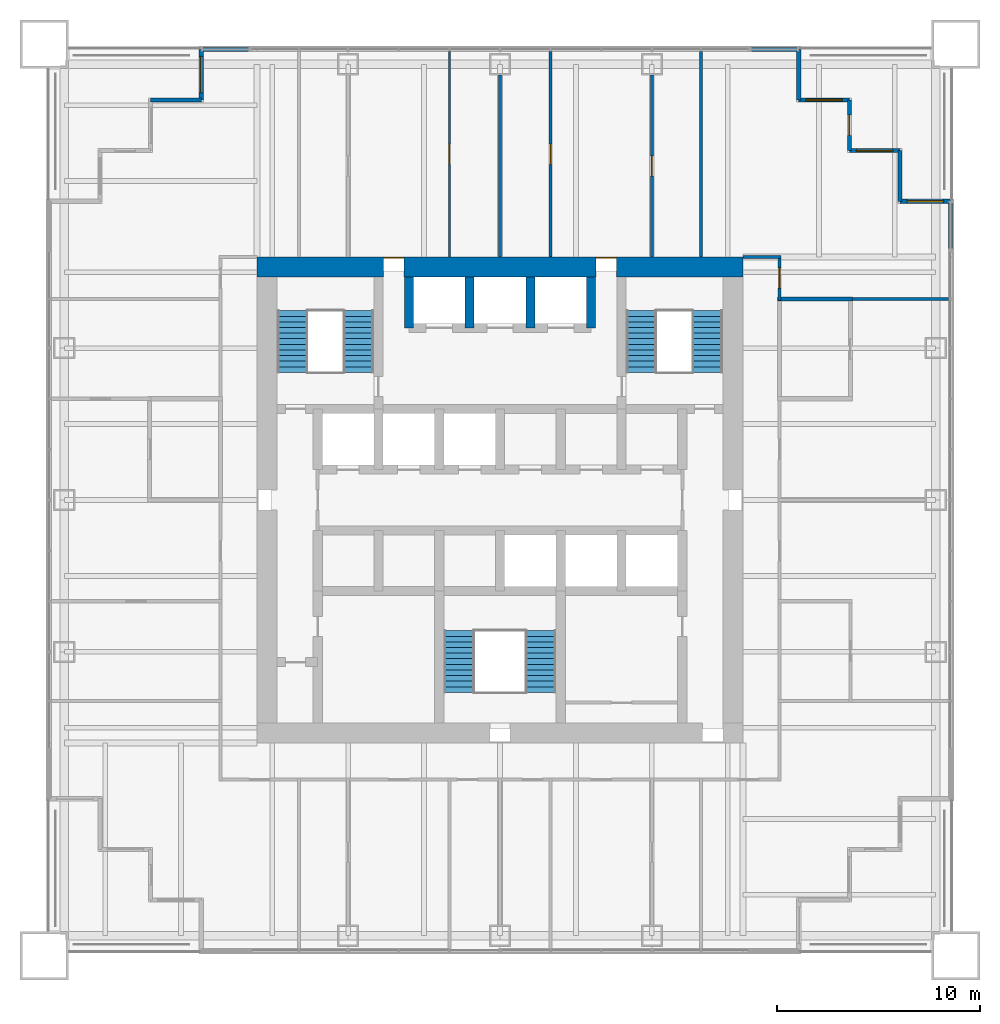
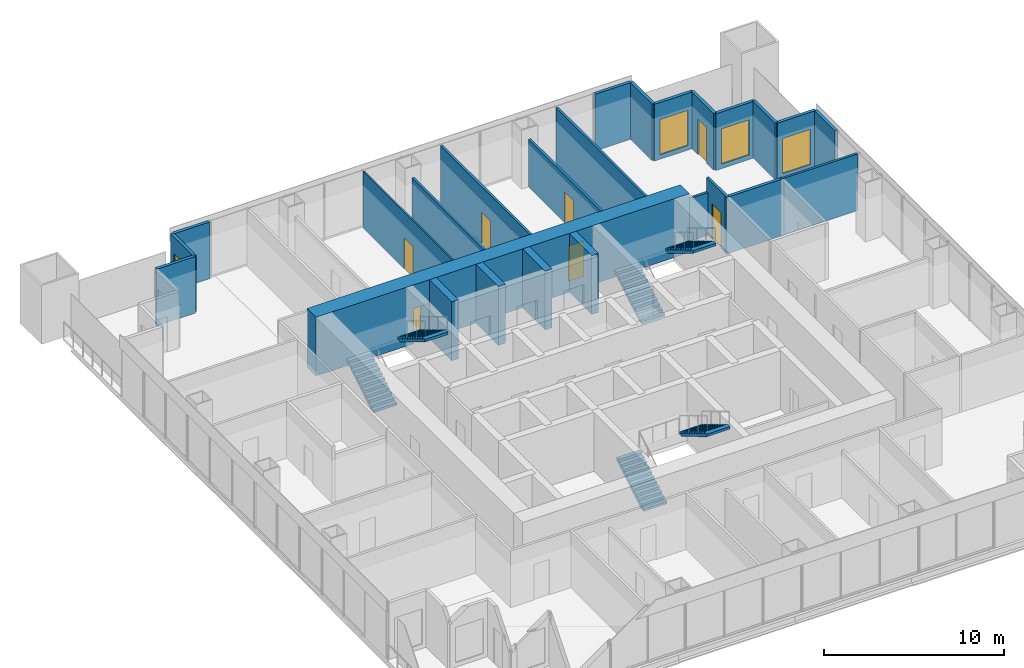
# One storey, part 11 of 13: 25 walls, 7 doors, 6 stair flights, 4 windows, 11 openings, 3 elements without a shape of their own.
"""IFC4 building model written with IfcOpenShell, lengths in metres."""

from ifc_helpers import new_model, si_unit, direction, frame, frame_2d, origin, place, context, subcontext, project, spatial, polyline, rectangle, outline, extrude, material, layer, layer_set, type_object, element, fill, aggregate, save


model = new_model("IFC4")

# Units and contexts
model_context = context("Model", 3, precision=1e-05, world=origin(), true_north=direction((0.0, 1.0)))
body_context = subcontext(model_context, "Body", "Model", "MODEL_VIEW")
ifc_project = project(units=[si_unit("LENGTHUNIT", "METRE"), si_unit("AREAUNIT", "SQUARE_METRE"), si_unit("VOLUMEUNIT", "CUBIC_METRE"), si_unit("PLANEANGLEUNIT", "RADIAN"), si_unit("MASSUNIT", "GRAM", prefix="KILO")], contexts=[model_context])

# Site, building, storey
site_placement = place(None, origin())
site = spatial("IfcSite", under=ifc_project, at=site_placement, CompositionType="ELEMENT")
building_placement = place(site_placement, origin())
building = spatial("IfcBuilding", under=site, at=building_placement, Name="Tarangal Relay Tower", CompositionType="ELEMENT")
storey_placement = place(building_placement, frame((0.0, 0.0, 181.89990234375)))
storey = spatial("IfcBuildingStorey", under=building, at=storey_placement, Name="L37", CompositionType="ELEMENT", Elevation=181.89990234375)

# Walls
ifc_material_1 = material(Name="Two layers gypsum board each side on twin steel studs, mineral wool", Category="steel")
ifc_layer_1 = layer(ifc_material_1, 0.199951171875)
ifc_layer_set_1 = layer_set([ifc_layer_1], Name="Acoustic partition 200")
wall_type_1 = type_object("IfcWallType", Name="Acoustic partition 200", PredefinedType="PARTITIONING", material=ifc_layer_set_1)
wall_1_placement = place(storey_placement, frame((13.699951171875, 9.9169921875, 0.0), z_axis=(0.0, 0.0, 1.0), x_axis=(1.0, 0.0, 0.0)))
element("IfcWall", 1, at=wall_1_placement, inside=storey, type_object=wall_type_1, Name="Partition PT2 L37", PredefinedType="PARTITIONING", context=body_context, shape_type="SweptSolid", body=[
    extrude(rectangle(XDim=3.699951171875, YDim=0.199951171875, at=frame_2d((1.85009765625, 0.0))), origin(), (0.0, 0.0, 1.0), 3.85009765625),
])
ifc_material_2 = material(Name="Concrete fc' 60 MPa", Category="concrete")
ifc_layer_2 = layer(ifc_material_2, 0.449951171875)
ifc_layer_set_2 = layer_set([ifc_layer_2], Name="Core inner wall 450")
wall_type_2 = type_object("IfcWallType", Name="Core inner wall 450", PredefinedType="SHEAR", material=ifc_layer_set_2)
for number, where, z_axis, x_axis, name in (
    (2, (-4.5, 8.5, 0.0), (0.0, 0.0, 1.0), (0.0, 1.0, 0.0), "Core wall XM45 L37"),
    (3, (4.5, 8.5, 0.0), (0.0, 0.0, 1.0), (0.0, 1.0, 0.0), "Core wall X45 L37"),
    (4, (-1.5, 8.5, 0.0), (0.0, 0.0, 1.0), (0.0, 1.0, 0.0), "Core wall XM15 L37"),
    (5, (1.5, 8.5, 0.0), (0.0, 0.0, 1.0), (0.0, 1.0, 0.0), "Core wall X15 L37"),
):
    element("IfcWall", number, at=place(storey_placement, frame(where, z_axis=z_axis, x_axis=x_axis)), inside=storey, type_object=wall_type_2, Name=name, PredefinedType="SHEAR", context=body_context, shape_type="SweptSolid", body=[
        extrude(rectangle(XDim=2.5, YDim=0.449951171875, at=frame_2d((1.25, 0.0))), origin(), (0.0, 0.0, 1.0), 4.0),
    ])

# Wall, openings, doors
ifc_layer_3 = layer(ifc_material_2, 1.0)
ifc_layer_set_3 = layer_set([ifc_layer_3], Name="Core wall 1000")
wall_type_3 = type_object("IfcWallType", Name="Core wall 1000", PredefinedType="SHEAR", material=ifc_layer_set_3)
wall_2_placement = place(storey_placement, frame((-12.0, 11.5, 0.0), z_axis=(0.0, 0.0, 1.0), x_axis=(1.0, 0.0, 0.0)))
wall_2 = element("IfcWall", 6, at=wall_2_placement, inside=storey, type_object=wall_type_3, Name="Core wall N L37", PredefinedType="SHEAR", context=body_context, shape_type="SweptSolid", body=[
    extrude(rectangle(XDim=24.0, YDim=1.0, at=frame_2d((12.0, 0.0))), origin(), (0.0, 0.0, 1.0), 4.0),
])
opening_1_placement = place(wall_2_placement, frame((6.25, 0.0, 0.0)))
opening_1 = element("IfcOpeningElement", 7, at=opening_1_placement, cuts=wall_2, Name="Opening FD3", PredefinedType="OPENING", context=body_context, shape_type="SweptSolid", body=[
    extrude(rectangle(XDim=1.0, YDim=2.39990234375, at=frame_2d((0.5, 1.199951171875))), frame((0.0, 0.510009765625, 0.0), z_axis=(0.0, -1.0, 0.0), x_axis=(1.0, 0.0, 0.0)), (0.0, 0.0, 1.0), 1.02001953125),
])
opening_2_placement = place(wall_2_placement, frame((16.75, 0.0, 0.0)))
opening_2 = element("IfcOpeningElement", 8, at=opening_2_placement, cuts=wall_2, Name="Opening FD3", PredefinedType="OPENING", context=body_context, shape_type="SweptSolid", body=[
    extrude(rectangle(XDim=1.0, YDim=2.39990234375, at=frame_2d((0.5, 1.199951171875))), frame((0.0, 0.510009765625, 0.0), z_axis=(0.0, -1.0, 0.0), x_axis=(1.0, 0.0, 0.0)), (0.0, 0.0, 1.0), 1.02001953125),
])
ifc_material_3 = material(Name="Steel door with hardwood frame", Category="steel")
door_type_1 = type_object("IfcDoorType", Name="Fire door 1000 x 2400 core entry", OperationType="SINGLE_SWING_RIGHT", PredefinedType="DOOR", material=ifc_material_3)
door_1_placement = place(opening_1_placement, origin())
door_1 = element("IfcDoor", 9, at=door_1_placement, inside=storey, type_object=door_type_1, Name="Core entry door north west L37", OperationType="SINGLE_SWING_RIGHT", OverallHeight=2.39990234375, OverallWidth=1.0, PredefinedType="DOOR", context=body_context, shape_type="SweptSolid", body=[
    extrude(rectangle(XDim=1.0, YDim=2.39990234375, at=frame_2d((0.5, 1.199951171875))), frame((0.0, 0.48486328125, 0.0), z_axis=(0.0, -1.0, 0.0), x_axis=(1.0, 0.0, 0.0)), (0.0, 0.0, 1.0), 0.050048828125),
])
fill(opening_1, door_1)
door_2_placement = place(opening_2_placement, origin())
door_2 = element("IfcDoor", 10, at=door_2_placement, inside=storey, type_object=door_type_1, Name="Core entry door north east L37", OperationType="SINGLE_SWING_RIGHT", OverallHeight=2.39990234375, OverallWidth=1.0, PredefinedType="DOOR", context=body_context, shape_type="SweptSolid", body=[
    extrude(rectangle(XDim=1.0, YDim=2.39990234375, at=frame_2d((0.5, 1.199951171875))), frame((0.0, 0.48486328125, 0.0), z_axis=(0.0, -1.0, 0.0), x_axis=(1.0, 0.0, 0.0)), (0.0, 0.0, 1.0), 0.050048828125),
])
fill(opening_2, door_2)

# Wall
ifc_material_4 = material(Name="Black metal clad insulated wall", Category="steel")
ifc_layer_4 = layer(ifc_material_4, 0.199951171875)
ifc_layer_set_4 = layer_set([ifc_layer_4], Name="Corner wall metal clad 200")
wall_type_4 = type_object("IfcWallType", Name="Corner wall metal clad 200", PredefinedType="SOLIDWALL", material=ifc_layer_set_4)
wall_3_placement = place(storey_placement, frame((14.75, 22.25, 0.0), z_axis=(0.0, 0.0, 1.0), x_axis=(0.0, -1.0, 0.0)))
element("IfcWall", 11, at=wall_3_placement, inside=storey, type_object=wall_type_4, Name="Facade wall N facade L37", PredefinedType="SOLIDWALL", context=body_context, shape_type="SweptSolid", body=[
    extrude(rectangle(XDim=2.5, YDim=0.199951171875, at=frame_2d((1.25, 0.0))), origin(), (0.0, 0.0, 1.0), 3.85009765625),
])

# Wall, opening, window
wall_4_placement = place(storey_placement, frame((14.75, 19.75, 0.0), z_axis=(0.0, 0.0, 1.0), x_axis=(1.0, 0.0, 0.0)))
wall_4 = element("IfcWall", 12, at=wall_4_placement, inside=storey, type_object=wall_type_4, Name="Facade wall N facade L37", PredefinedType="SOLIDWALL", context=body_context, shape_type="SweptSolid", body=[
    extrude(rectangle(XDim=2.5, YDim=0.199951171875, at=frame_2d((1.25, 0.0))), origin(), (0.0, 0.0, 1.0), 3.85009765625),
])
opening_3_placement = place(wall_4_placement, frame((0.35009765625, 0.0, 0.300048828125)))
opening_3 = element("IfcOpeningElement", 13, at=opening_3_placement, cuts=wall_4, Name="Opening WN2", PredefinedType="OPENING", context=body_context, shape_type="SweptSolid", body=[
    extrude(rectangle(XDim=1.800048828125, YDim=2.39990234375, at=frame_2d((0.89990234375, 1.199951171875))), frame((0.0, 0.10986328125, 0.0), z_axis=(0.0, -1.0, 0.0), x_axis=(1.0, 0.0, 0.0)), (0.0, 0.0, 1.0), 0.219970703125),
])
ifc_material_5 = material(Name="Dark tinted double glazing in black aluminium frame", Category="aluminium")
window_type = type_object("IfcWindowType", Name="Corner window 1800 x 2400", PartitioningType="SINGLE_PANEL", PredefinedType="WINDOW", material=ifc_material_5)
window_1_placement = place(opening_3_placement, origin())
window_1 = element("IfcWindow", 14, at=window_1_placement, inside=storey, type_object=window_type, Name="Corner window WN2 N facade L37", OverallHeight=2.39990234375, OverallWidth=1.800048828125, PartitioningType="SINGLE_PANEL", PredefinedType="WINDOW", context=body_context, shape_type="SweptSolid", body=[
    extrude(rectangle(XDim=1.800048828125, YDim=2.39990234375, at=frame_2d((0.89990234375, 1.199951171875))), frame((0.0, 0.030029296875, 0.0), z_axis=(0.0, -1.0, 0.0), x_axis=(1.0, 0.0, 0.0)), (0.0, 0.0, 1.0), 0.06005859375),
])
fill(opening_3, window_1)

# Wall, opening, door
wall_5_placement = place(storey_placement, frame((17.25, 19.75, 0.0), z_axis=(0.0, 0.0, 1.0), x_axis=(0.0, -1.0, 0.0)))
wall_5 = element("IfcWall", 15, at=wall_5_placement, inside=storey, type_object=wall_type_4, Name="Facade wall N facade L37", PredefinedType="SOLIDWALL", context=body_context, shape_type="SweptSolid", body=[
    extrude(rectangle(XDim=2.5, YDim=0.199951171875, at=frame_2d((1.25, 0.0))), origin(), (0.0, 0.0, 1.0), 3.85009765625),
])
opening_4_placement = place(wall_5_placement, frame((0.75, 0.0, 0.0)))
opening_4 = element("IfcOpeningElement", 16, at=opening_4_placement, cuts=wall_5, Name="Opening TD1", PredefinedType="OPENING", context=body_context, shape_type="SweptSolid", body=[
    extrude(rectangle(XDim=1.0, YDim=2.39990234375, at=frame_2d((0.5, 1.199951171875))), frame((0.0, 0.10986328125, 0.0), z_axis=(0.0, -1.0, 0.0), x_axis=(1.0, 0.0, 0.0)), (0.0, 0.0, 1.0), 0.219970703125),
])
ifc_material_6 = material(Name="Aluminium glazed door", Category="aluminium")
door_type_2 = type_object("IfcDoorType", Name="Terrace door 1000 x 2400", OperationType="SINGLE_SWING_RIGHT", PredefinedType="DOOR", material=ifc_material_6)
door_3_placement = place(opening_4_placement, origin())
door_3 = element("IfcDoor", 17, at=door_3_placement, inside=storey, type_object=door_type_2, Name="Terrace door TD1 NE L37", OperationType="SINGLE_SWING_RIGHT", OverallHeight=2.39990234375, OverallWidth=1.0, PredefinedType="DOOR", context=body_context, shape_type="SweptSolid", body=[
    extrude(rectangle(XDim=1.0, YDim=2.39990234375, at=frame_2d((0.5, 1.199951171875))), frame((0.0, 0.02490234375, 0.0), z_axis=(0.0, -1.0, 0.0), x_axis=(1.0, 0.0, 0.0)), (0.0, 0.0, 1.0), 0.050048828125),
])
fill(opening_4, door_3)

# Wall, opening, window
wall_6_placement = place(storey_placement, frame((17.25, 17.25, 0.0), z_axis=(0.0, 0.0, 1.0), x_axis=(1.0, 0.0, 0.0)))
wall_6 = element("IfcWall", 18, at=wall_6_placement, inside=storey, type_object=wall_type_4, Name="Facade wall N facade L37", PredefinedType="SOLIDWALL", context=body_context, shape_type="SweptSolid", body=[
    extrude(rectangle(XDim=2.5, YDim=0.199951171875, at=frame_2d((1.25, 0.0))), origin(), (0.0, 0.0, 1.0), 3.85009765625),
])
opening_5_placement = place(wall_6_placement, frame((0.35009765625, 0.0, 0.300048828125)))
opening_5 = element("IfcOpeningElement", 19, at=opening_5_placement, cuts=wall_6, Name="Opening WN2", PredefinedType="OPENING", context=body_context, shape_type="SweptSolid", body=[
    extrude(rectangle(XDim=1.800048828125, YDim=2.39990234375, at=frame_2d((0.89990234375, 1.199951171875))), frame((0.0, 0.10986328125, 0.0), z_axis=(0.0, -1.0, 0.0), x_axis=(1.0, 0.0, 0.0)), (0.0, 0.0, 1.0), 0.219970703125),
])
window_2_placement = place(opening_5_placement, origin())
window_2 = element("IfcWindow", 20, at=window_2_placement, inside=storey, type_object=window_type, Name="Corner window WN2 N facade L37", OverallHeight=2.39990234375, OverallWidth=1.800048828125, PartitioningType="SINGLE_PANEL", PredefinedType="WINDOW", context=body_context, shape_type="SweptSolid", body=[
    extrude(rectangle(XDim=1.800048828125, YDim=2.39990234375, at=frame_2d((0.89990234375, 1.199951171875))), frame((0.0, 0.030029296875, 0.0), z_axis=(0.0, -1.0, 0.0), x_axis=(1.0, 0.0, 0.0)), (0.0, 0.0, 1.0), 0.06005859375),
])
fill(opening_5, window_2)

# Wall
wall_7_placement = place(storey_placement, frame((19.75, 17.25, 0.0), z_axis=(0.0, 0.0, 1.0), x_axis=(0.0, -1.0, 0.0)))
element("IfcWall", 21, at=wall_7_placement, inside=storey, type_object=wall_type_4, Name="Facade wall N facade L37", PredefinedType="SOLIDWALL", context=body_context, shape_type="SweptSolid", body=[
    extrude(rectangle(XDim=2.5, YDim=0.199951171875, at=frame_2d((1.25, 0.0))), origin(), (0.0, 0.0, 1.0), 3.85009765625),
])

# Wall, opening, window
wall_8_placement = place(storey_placement, frame((19.75, 14.75, 0.0), z_axis=(0.0, 0.0, 1.0), x_axis=(1.0, 0.0, 0.0)))
wall_8 = element("IfcWall", 22, at=wall_8_placement, inside=storey, type_object=wall_type_4, Name="Facade wall N facade L37", PredefinedType="SOLIDWALL", context=body_context, shape_type="SweptSolid", body=[
    extrude(rectangle(XDim=2.5, YDim=0.199951171875, at=frame_2d((1.25, 0.0))), origin(), (0.0, 0.0, 1.0), 3.85009765625),
])
opening_6_placement = place(wall_8_placement, frame((0.35009765625, 0.0, 0.300048828125)))
opening_6 = element("IfcOpeningElement", 23, at=opening_6_placement, cuts=wall_8, Name="Opening WN2", PredefinedType="OPENING", context=body_context, shape_type="SweptSolid", body=[
    extrude(rectangle(XDim=1.800048828125, YDim=2.39990234375, at=frame_2d((0.89990234375, 1.199951171875))), frame((0.0, 0.10986328125, 0.0), z_axis=(0.0, -1.0, 0.0), x_axis=(1.0, 0.0, 0.0)), (0.0, 0.0, 1.0), 0.219970703125),
])
window_3_placement = place(opening_6_placement, origin())
window_3 = element("IfcWindow", 24, at=window_3_placement, inside=storey, type_object=window_type, Name="Corner window WN2 N facade L37", OverallHeight=2.39990234375, OverallWidth=1.800048828125, PartitioningType="SINGLE_PANEL", PredefinedType="WINDOW", context=body_context, shape_type="SweptSolid", body=[
    extrude(rectangle(XDim=1.800048828125, YDim=2.39990234375, at=frame_2d((0.89990234375, 1.199951171875))), frame((0.0, 0.030029296875, 0.0), z_axis=(0.0, -1.0, 0.0), x_axis=(1.0, 0.0, 0.0)), (0.0, 0.0, 1.0), 0.06005859375),
])
fill(opening_6, window_3)

# Wall
wall_9_placement = place(storey_placement, frame((-17.25, 19.75, 0.0), z_axis=(0.0, 0.0, 1.0), x_axis=(1.0, 0.0, 0.0)))
element("IfcWall", 25, at=wall_9_placement, inside=storey, type_object=wall_type_4, Name="Facade wall W facade L37", PredefinedType="SOLIDWALL", context=body_context, shape_type="SweptSolid", body=[
    extrude(rectangle(XDim=2.5, YDim=0.199951171875, at=frame_2d((1.25, 0.0))), origin(), (0.0, 0.0, 1.0), 3.85009765625),
])

# Wall, opening, window
wall_10_placement = place(storey_placement, frame((-14.75, 19.75, 0.0), z_axis=(0.0, 0.0, 1.0), x_axis=(0.0, 1.0, 0.0)))
wall_10 = element("IfcWall", 26, at=wall_10_placement, inside=storey, type_object=wall_type_4, Name="Facade wall W facade L37", PredefinedType="SOLIDWALL", context=body_context, shape_type="SweptSolid", body=[
    extrude(rectangle(XDim=2.5, YDim=0.199951171875, at=frame_2d((1.25, 0.0))), origin(), (0.0, 0.0, 1.0), 3.85009765625),
])
opening_7_placement = place(wall_10_placement, frame((0.35009765625, 0.0, 0.300048828125)))
opening_7 = element("IfcOpeningElement", 27, at=opening_7_placement, cuts=wall_10, Name="Opening WN2", PredefinedType="OPENING", context=body_context, shape_type="SweptSolid", body=[
    extrude(rectangle(XDim=1.800048828125, YDim=2.39990234375, at=frame_2d((0.89990234375, 1.199951171875))), frame((0.0, 0.10986328125, 0.0), z_axis=(0.0, -1.0, 0.0), x_axis=(1.0, 0.0, 0.0)), (0.0, 0.0, 1.0), 0.219970703125),
])
window_4_placement = place(opening_7_placement, origin())
window_4 = element("IfcWindow", 28, at=window_4_placement, inside=storey, type_object=window_type, Name="Corner window WN2 W facade L37", OverallHeight=2.39990234375, OverallWidth=1.800048828125, PartitioningType="SINGLE_PANEL", PredefinedType="WINDOW", context=body_context, shape_type="SweptSolid", body=[
    extrude(rectangle(XDim=1.800048828125, YDim=2.39990234375, at=frame_2d((0.89990234375, 1.199951171875))), frame((0.0, 0.030029296875, 0.0), z_axis=(0.0, -1.0, 0.0), x_axis=(1.0, 0.0, 0.0)), (0.0, 0.0, 1.0), 0.06005859375),
])
fill(opening_7, window_4)

# Walls
ifc_layer_5 = layer(ifc_material_4, 0.199951171875)
ifc_layer_set_5 = layer_set([ifc_layer_5], Name="Facade infill wall metal clad 200")
wall_type_5 = type_object("IfcWallType", Name="Facade infill wall metal clad 200", PredefinedType="SOLIDWALL", material=ifc_layer_set_5)
for number, where, z_axis, x_axis, name in (
    (29, (-14.68505859375, 22.25, 0.0), (0.0, 0.0, 1.0), (1.0, 0.0, 0.0), "Facade infill wall N facade L37 1.1"),
    (30, (12.398193359375, 22.25, 0.0), (0.0, 0.0, 1.0), (1.0, 0.0, 0.0), "Facade infill wall N facade L37 1.1"),
    (31, (22.25, 14.68505859375, 0.0), (0.0, 0.0, 1.0), (0.0, -1.0, 0.0), "Facade infill wall E facade L37 1.1"),
):
    element("IfcWall", number, at=place(storey_placement, frame(where, z_axis=z_axis, x_axis=x_axis)), inside=storey, type_object=wall_type_5, Name=name, PredefinedType="SOLIDWALL", context=body_context, shape_type="SweptSolid", body=[
        extrude(rectangle(XDim=2.286865234375, YDim=0.199951171875, at=frame_2d((1.1435546875, 0.0))), origin(), (0.0, 0.0, 1.0), 3.85009765625),
    ])

# Wall, opening, door
ifc_material_7 = material(Name="Double glazed aluminium framed partition", Category="aluminium")
ifc_layer_6 = layer(ifc_material_7, 0.10009765625)
ifc_layer_set_6 = layer_set([ifc_layer_6], Name="Glazed partition 100")
wall_type_6 = type_object("IfcWallType", Name="Glazed partition 100", PredefinedType="PARTITIONING", material=ifc_layer_set_6)
wall_11_placement = place(storey_placement, frame((-2.5, 12.0, 0.0), z_axis=(0.0, 0.0, 1.0), x_axis=(0.0, 1.0, 0.0)))
wall_11 = element("IfcWall", 32, at=wall_11_placement, inside=storey, type_object=wall_type_6, Name="Partition PT3 L37", PredefinedType="PARTITIONING", context=body_context, shape_type="SweptSolid", body=[
    extrude(rectangle(XDim=10.14990234375, YDim=0.10009765625, at=frame_2d((5.074951171875, 0.0))), origin(), (0.0, 0.0, 1.0), 3.85009765625),
])
opening_8_placement = place(wall_11_placement, frame((4.574951171875, 0.0, 0.0)))
opening_8 = element("IfcOpeningElement", 33, at=opening_8_placement, cuts=wall_11, Name="Opening D3", PredefinedType="OPENING", context=body_context, shape_type="SweptSolid", body=[
    extrude(rectangle(XDim=1.0, YDim=2.10009765625, at=frame_2d((0.5, 1.050048828125))), frame((0.0, 0.06005859375, 0.0), z_axis=(0.0, -1.0, 0.0), x_axis=(1.0, 0.0, 0.0)), (0.0, 0.0, 1.0), 0.1201171875),
])
ifc_material_8 = material(Name="Frameless glass door", Category="glass")
door_type_3 = type_object("IfcDoorType", Name="Glazed door 1000 x 2100", OperationType="SINGLE_SWING_LEFT", PredefinedType="DOOR", material=ifc_material_8)
door_4_placement = place(opening_8_placement, origin())
door_4 = element("IfcDoor", 34, at=door_4_placement, inside=storey, type_object=door_type_3, Name="Door D3 to meeting room L37-04", OperationType="SINGLE_SWING_LEFT", OverallHeight=2.10009765625, OverallWidth=1.0, PredefinedType="DOOR", context=body_context, shape_type="SweptSolid", body=[
    extrude(rectangle(XDim=1.0, YDim=2.10009765625, at=frame_2d((0.5, 1.050048828125))), frame((0.0, 0.02490234375, 0.0), z_axis=(0.0, -1.0, 0.0), x_axis=(1.0, 0.0, 0.0)), (0.0, 0.0, 1.0), 0.050048828125),
])
fill(opening_8, door_4)

# Walls
ifc_material_9 = material(Name="Gypsum board on steel studs", Category="steel")
ifc_layer_7 = layer(ifc_material_9, 0.14990234375)
ifc_layer_set_7 = layer_set([ifc_layer_7], Name="Partition 150")
wall_type_7 = type_object("IfcWallType", Name="Partition 150", PredefinedType="PARTITIONING", material=ifc_layer_set_7)
wall_12_placement = place(storey_placement, frame((17.22509765625, 9.9169921875, 0.0), z_axis=(0.0, 0.0, 1.0), x_axis=(1.0, 0.0, 0.0)))
element("IfcWall", 35, at=wall_12_placement, inside=storey, type_object=wall_type_7, Name="Partition PT1 L37", PredefinedType="PARTITIONING", context=body_context, shape_type="SweptSolid", body=[
    extrude(rectangle(XDim=4.9248046875, YDim=0.14990234375, at=frame_2d((2.46240234375, 0.0))), origin(), (0.0, 0.0, 1.0), 3.85009765625),
])
wall_13_placement = place(storey_placement, frame((12.0, 12.0, 0.0), z_axis=(0.0, 0.0, 1.0), x_axis=(1.0, 0.0, 0.0)))
element("IfcWall", 36, at=wall_13_placement, inside=storey, type_object=wall_type_7, Name="Partition PT1 L37", PredefinedType="PARTITIONING", context=body_context, shape_type="SweptSolid", body=[
    extrude(rectangle(XDim=1.875, YDim=0.14990234375, at=frame_2d((0.9375, 0.0))), origin(), (0.0, 0.0, 1.0), 2.907958984375),
])
wall_14_placement = place(storey_placement, frame((0.0, 12.0, 0.0), z_axis=(0.0, 0.0, 1.0), x_axis=(0.0, 1.0, 0.0)))
element("IfcWall", 37, at=wall_14_placement, inside=storey, type_object=wall_type_7, Name="Partition PT1 L37", PredefinedType="PARTITIONING", context=body_context, shape_type="SweptSolid", body=[
    extrude(rectangle(XDim=8.989990234375, YDim=0.14990234375, at=frame_2d((4.4951171875, 0.0))), origin(), (0.0, 0.0, 1.0), 3.238037109375),
])

# Wall, opening, door
wall_15_placement = place(storey_placement, frame((2.5, 12.0, 0.0), z_axis=(0.0, 0.0, 1.0), x_axis=(0.0, 1.0, 0.0)))
wall_15 = element("IfcWall", 38, at=wall_15_placement, inside=storey, type_object=wall_type_7, Name="Partition PT1 L37", PredefinedType="PARTITIONING", context=body_context, shape_type="SweptSolid", body=[
    extrude(rectangle(XDim=10.14990234375, YDim=0.14990234375, at=frame_2d((5.074951171875, 0.0))), origin(), (0.0, 0.0, 1.0), 3.85009765625),
])
opening_9_placement = place(wall_15_placement, frame((4.574951171875, 0.0, 0.0)))
opening_9 = element("IfcOpeningElement", 39, at=opening_9_placement, cuts=wall_15, Name="Opening D2", PredefinedType="OPENING", context=body_context, shape_type="SweptSolid", body=[
    extrude(rectangle(XDim=1.0, YDim=2.10009765625, at=frame_2d((0.5, 1.050048828125))), frame((0.0, 0.0849609375, 0.0), z_axis=(0.0, -1.0, 0.0), x_axis=(1.0, 0.0, 0.0)), (0.0, 0.0, 1.0), 0.169921875),
])
ifc_material_10 = material(Name="Hardwood door", Category="wood")
door_type_4 = type_object("IfcDoorType", Name="Door 1000 x 2100", OperationType="SINGLE_SWING_LEFT", PredefinedType="DOOR", material=ifc_material_10)
door_5_placement = place(opening_9_placement, origin())
door_5 = element("IfcDoor", 40, at=door_5_placement, inside=storey, type_object=door_type_4, Name="Door D2 to cellular office L37-05", OperationType="SINGLE_SWING_LEFT", OverallHeight=2.10009765625, OverallWidth=1.0, PredefinedType="DOOR", context=body_context, shape_type="SweptSolid", body=[
    extrude(rectangle(XDim=1.0, YDim=2.10009765625, at=frame_2d((0.5, 1.050048828125))), frame((0.0, 0.02490234375, 0.0), z_axis=(0.0, -1.0, 0.0), x_axis=(1.0, 0.0, 0.0)), (0.0, 0.0, 1.0), 0.050048828125),
])
fill(opening_9, door_5)

wall_16_placement = place(storey_placement, frame((7.5, 12.0, 0.0), z_axis=(0.0, 0.0, 1.0), x_axis=(0.0, 1.0, 0.0)))
wall_16 = element("IfcWall", 41, at=wall_16_placement, inside=storey, type_object=wall_type_7, Name="Partition PT1 L37", PredefinedType="PARTITIONING", context=body_context, shape_type="SweptSolid", body=[
    extrude(rectangle(XDim=8.989990234375, YDim=0.14990234375, at=frame_2d((4.4951171875, 0.0))), origin(), (0.0, 0.0, 1.0), 3.238037109375),
])
opening_10_placement = place(wall_16_placement, frame((3.9951171875, 0.0, 0.0)))
opening_10 = element("IfcOpeningElement", 42, at=opening_10_placement, cuts=wall_16, Name="Opening D2", PredefinedType="OPENING", context=body_context, shape_type="SweptSolid", body=[
    extrude(rectangle(XDim=1.0, YDim=2.10009765625, at=frame_2d((0.5, 1.050048828125))), frame((0.0, 0.0849609375, 0.0), z_axis=(0.0, -1.0, 0.0), x_axis=(1.0, 0.0, 0.0)), (0.0, 0.0, 1.0), 0.169921875),
])
door_6_placement = place(opening_10_placement, origin())
door_6 = element("IfcDoor", 43, at=door_6_placement, inside=storey, type_object=door_type_4, Name="Door D2 to cellular office L37-07", OperationType="SINGLE_SWING_LEFT", OverallHeight=2.10009765625, OverallWidth=1.0, PredefinedType="DOOR", context=body_context, shape_type="SweptSolid", body=[
    extrude(rectangle(XDim=1.0, YDim=2.10009765625, at=frame_2d((0.5, 1.050048828125))), frame((0.0, 0.02490234375, 0.0), z_axis=(0.0, -1.0, 0.0), x_axis=(1.0, 0.0, 0.0)), (0.0, 0.0, 1.0), 0.050048828125),
])
fill(opening_10, door_6)

# Wall
wall_17_placement = place(storey_placement, frame((9.9169921875, 12.0, 0.0), z_axis=(0.0, 0.0, 1.0), x_axis=(0.0, 1.0, 0.0)))
element("IfcWall", 44, at=wall_17_placement, inside=storey, type_object=wall_type_7, Name="Partition PT1 L37", PredefinedType="PARTITIONING", context=body_context, shape_type="SweptSolid", body=[
    extrude(rectangle(XDim=10.14990234375, YDim=0.14990234375, at=frame_2d((5.074951171875, 0.0))), origin(), (0.0, 0.0, 1.0), 3.85009765625),
])

# Wall, opening, door
wall_18_placement = place(storey_placement, frame((13.800048828125, 9.842041015625, 0.0), z_axis=(0.0, 0.0, 1.0), x_axis=(0.0, 1.0, 0.0)))
wall_18 = element("IfcWall", 45, at=wall_18_placement, inside=storey, type_object=wall_type_7, Name="Partition PT1 L37", PredefinedType="PARTITIONING", context=body_context, shape_type="SweptSolid", body=[
    extrude(rectangle(XDim=2.23291015625, YDim=0.14990234375, at=frame_2d((1.116455078125, 0.0))), origin(), (0.0, 0.0, 1.0), 3.85009765625),
])
opening_11_placement = place(wall_18_placement, frame((0.616455078125, 0.0, 0.0)))
opening_11 = element("IfcOpeningElement", 46, at=opening_11_placement, cuts=wall_18, Name="Opening SD1", PredefinedType="OPENING", context=body_context, shape_type="SweptSolid", body=[
    extrude(rectangle(XDim=1.0, YDim=2.39990234375, at=frame_2d((0.5, 1.199951171875))), frame((0.0, 0.0849609375, 0.0), z_axis=(0.0, -1.0, 0.0), x_axis=(1.0, 0.0, 0.0)), (0.0, 0.0, 1.0), 0.169921875),
])
door_type_5 = type_object("IfcDoorType", Name="Suite entrance door 1000 x 2400", OperationType="SINGLE_SWING_RIGHT", PredefinedType="DOOR", material=ifc_material_3)
door_7_placement = place(opening_11_placement, origin())
door_7 = element("IfcDoor", 47, at=door_7_placement, inside=storey, type_object=door_type_5, Name="Door SD1 to open plan office L37-22", OperationType="SINGLE_SWING_RIGHT", OverallHeight=2.39990234375, OverallWidth=1.0, PredefinedType="DOOR", context=body_context, shape_type="SweptSolid", body=[
    extrude(rectangle(XDim=1.0, YDim=2.39990234375, at=frame_2d((0.5, 1.199951171875))), frame((0.0, 0.02490234375, 0.0), z_axis=(0.0, -1.0, 0.0), x_axis=(1.0, 0.0, 0.0)), (0.0, 0.0, 1.0), 0.050048828125),
])
fill(opening_11, door_7)

# Stair, stair flights
ifc_material_11 = material(Name="Steel ASTM A992 stair flight", Category="steel")
stair_type = type_object("IfcStairType", Name="Core stair 1500", PredefinedType="HALF_TURN_STAIR", material=ifc_material_11)
stair_1_placement = place(storey_placement, origin())
stair_1 = element("IfcStair", 48, at=stair_1_placement, inside=storey, type_object=stair_type, Name="Stair ST-A L37", PredefinedType="HALF_TURN_STAIR")
stair_flight_type = type_object("IfcStairFlightType", Name="Steel stair flight 1500, 12 risers 167 x 277", PredefinedType="STRAIGHT", material=ifc_material_11)
stair_flight_1_placement = place(storey_placement, frame((-10.25, 6.300048828125, 0.0), z_axis=(0.0, 0.0, 1.0), x_axis=(0.0, 1.0, 0.0)))
stair_flight_1 = element("IfcStairFlight", 49, at=stair_flight_1_placement, type_object=stair_flight_type, Name="ST-A flight 1", NumberOfRisers=12, NumberOfTreads=11, PredefinedType="STRAIGHT", RiserHeight=0.166666667, TreadLength=0.277, context=body_context, shape_type="SweptSolid", body=[
    extrude(outline(polyline([(0.0, 0.0), (0.0, 0.166748046875), (0.277099609375, 0.166748046875), (0.277099609375, 0.333251953125), (0.553955078125, 0.333251953125), (0.553955078125, 0.5), (0.8310546875, 0.5), (0.8310546875, 0.666748046875), (1.10791015625, 0.666748046875), (1.10791015625, 0.833251953125), (1.385009765625, 0.833251953125), (1.385009765625, 1.0), (1.662109375, 1.0), (1.662109375, 1.166748046875), (1.93896484375, 1.166748046875), (1.93896484375, 1.333251953125), (2.216064453125, 1.333251953125), (2.216064453125, 1.5), (2.492919921875, 1.5), (2.492919921875, 1.666748046875), (2.77001953125, 1.666748046875), (2.77001953125, 1.833251953125), (3.047119140625, 1.833251953125), (3.047119140625, 2.0), (3.047119140625, 1.658447265625), (0.290771484375, 0.0), (0.0, 0.0)])), frame((0.0, 0.75, 0.0), z_axis=(0.0, -1.0, 0.0), x_axis=(1.0, 0.0, 0.0)), (0.0, 0.0, 1.0), 1.5),
])
stair_flight_2_placement = place(storey_placement, frame((-6.97509765625, 9.346923828125, 2.0), z_axis=(0.0, 0.0, 1.0), x_axis=(0.0, -1.0, 0.0)))
stair_flight_2 = element("IfcStairFlight", 50, at=stair_flight_2_placement, type_object=stair_flight_type, Name="ST-A flight 2", NumberOfRisers=12, NumberOfTreads=11, PredefinedType="STRAIGHT", RiserHeight=0.166666667, TreadLength=0.277, context=body_context, shape_type="SweptSolid", body=[
    extrude(outline(polyline([(0.0, 0.0), (0.0, 0.166748046875), (0.277099609375, 0.166748046875), (0.277099609375, 0.333251953125), (0.553955078125, 0.333251953125), (0.553955078125, 0.5), (0.8310546875, 0.5), (0.8310546875, 0.666748046875), (1.10791015625, 0.666748046875), (1.10791015625, 0.833251953125), (1.385009765625, 0.833251953125), (1.385009765625, 1.0), (1.662109375, 1.0), (1.662109375, 1.166748046875), (1.93896484375, 1.166748046875), (1.93896484375, 1.333251953125), (2.216064453125, 1.333251953125), (2.216064453125, 1.5), (2.492919921875, 1.5), (2.492919921875, 1.666748046875), (2.77001953125, 1.666748046875), (2.77001953125, 1.833251953125), (3.047119140625, 1.833251953125), (3.047119140625, 2.0), (3.047119140625, 1.658447265625), (0.290771484375, 0.0), (0.0, 0.0)])), frame((0.0, 0.75, 0.0), z_axis=(0.0, -1.0, 0.0), x_axis=(1.0, 0.0, 0.0)), (0.0, 0.0, 1.0), 1.5),
])
aggregate(stair_1, [stair_flight_1, stair_flight_2])

stair_2_placement = place(storey_placement, origin())
stair_2 = element("IfcStair", 51, at=stair_2_placement, inside=storey, type_object=stair_type, Name="Stair ST-B L37", PredefinedType="HALF_TURN_STAIR")
stair_flight_3_placement = place(storey_placement, frame((6.97509765625, 6.300048828125, 0.0), z_axis=(0.0, 0.0, 1.0), x_axis=(0.0, 1.0, 0.0)))
stair_flight_3 = element("IfcStairFlight", 52, at=stair_flight_3_placement, type_object=stair_flight_type, Name="ST-B flight 1", NumberOfRisers=12, NumberOfTreads=11, PredefinedType="STRAIGHT", RiserHeight=0.166666667, TreadLength=0.277, context=body_context, shape_type="SweptSolid", body=[
    extrude(outline(polyline([(0.0, 0.0), (0.0, 0.166748046875), (0.277099609375, 0.166748046875), (0.277099609375, 0.333251953125), (0.553955078125, 0.333251953125), (0.553955078125, 0.5), (0.8310546875, 0.5), (0.8310546875, 0.666748046875), (1.10791015625, 0.666748046875), (1.10791015625, 0.833251953125), (1.385009765625, 0.833251953125), (1.385009765625, 1.0), (1.662109375, 1.0), (1.662109375, 1.166748046875), (1.93896484375, 1.166748046875), (1.93896484375, 1.333251953125), (2.216064453125, 1.333251953125), (2.216064453125, 1.5), (2.492919921875, 1.5), (2.492919921875, 1.666748046875), (2.77001953125, 1.666748046875), (2.77001953125, 1.833251953125), (3.047119140625, 1.833251953125), (3.047119140625, 2.0), (3.047119140625, 1.658447265625), (0.290771484375, 0.0), (0.0, 0.0)])), frame((0.0, 0.75, 0.0), z_axis=(0.0, -1.0, 0.0), x_axis=(1.0, 0.0, 0.0)), (0.0, 0.0, 1.0), 1.5),
])
stair_flight_4_placement = place(storey_placement, frame((10.25, 9.346923828125, 2.0), z_axis=(0.0, 0.0, 1.0), x_axis=(0.0, -1.0, 0.0)))
stair_flight_4 = element("IfcStairFlight", 53, at=stair_flight_4_placement, type_object=stair_flight_type, Name="ST-B flight 2", NumberOfRisers=12, NumberOfTreads=11, PredefinedType="STRAIGHT", RiserHeight=0.166666667, TreadLength=0.277, context=body_context, shape_type="SweptSolid", body=[
    extrude(outline(polyline([(0.0, 0.0), (0.0, 0.166748046875), (0.277099609375, 0.166748046875), (0.277099609375, 0.333251953125), (0.553955078125, 0.333251953125), (0.553955078125, 0.5), (0.8310546875, 0.5), (0.8310546875, 0.666748046875), (1.10791015625, 0.666748046875), (1.10791015625, 0.833251953125), (1.385009765625, 0.833251953125), (1.385009765625, 1.0), (1.662109375, 1.0), (1.662109375, 1.166748046875), (1.93896484375, 1.166748046875), (1.93896484375, 1.333251953125), (2.216064453125, 1.333251953125), (2.216064453125, 1.5), (2.492919921875, 1.5), (2.492919921875, 1.666748046875), (2.77001953125, 1.666748046875), (2.77001953125, 1.833251953125), (3.047119140625, 1.833251953125), (3.047119140625, 2.0), (3.047119140625, 1.658447265625), (0.290771484375, 0.0), (0.0, 0.0)])), frame((0.0, 0.75, 0.0), z_axis=(0.0, -1.0, 0.0), x_axis=(1.0, 0.0, 0.0)), (0.0, 0.0, 1.0), 1.5),
])
aggregate(stair_2, [stair_flight_3, stair_flight_4])

stair_3_placement = place(storey_placement, origin())
stair_3 = element("IfcStair", 54, at=stair_3_placement, inside=storey, type_object=stair_type, Name="Stair ST-C L37", PredefinedType="HALF_TURN_STAIR")
stair_flight_5_placement = place(storey_placement, frame((-2.02490234375, -9.5, 0.0), z_axis=(0.0, 0.0, 1.0), x_axis=(0.0, 1.0, 0.0)))
stair_flight_5 = element("IfcStairFlight", 55, at=stair_flight_5_placement, type_object=stair_flight_type, Name="ST-C flight 1", NumberOfRisers=12, NumberOfTreads=11, PredefinedType="STRAIGHT", RiserHeight=0.166666667, TreadLength=0.277, context=body_context, shape_type="SweptSolid", body=[
    extrude(outline(polyline([(0.0, 0.0), (0.0, 0.166748046875), (0.277099609375, 0.166748046875), (0.277099609375, 0.333251953125), (0.553955078125, 0.333251953125), (0.553955078125, 0.5), (0.8310546875, 0.5), (0.8310546875, 0.666748046875), (1.10791015625, 0.666748046875), (1.10791015625, 0.833251953125), (1.385009765625, 0.833251953125), (1.385009765625, 1.0), (1.662109375, 1.0), (1.662109375, 1.166748046875), (1.93896484375, 1.166748046875), (1.93896484375, 1.333251953125), (2.216064453125, 1.333251953125), (2.216064453125, 1.5), (2.492919921875, 1.5), (2.492919921875, 1.666748046875), (2.77001953125, 1.666748046875), (2.77001953125, 1.833251953125), (3.047119140625, 1.833251953125), (3.047119140625, 2.0), (3.047119140625, 1.658447265625), (0.290771484375, 0.0), (0.0, 0.0)])), frame((0.0, 0.75, 0.0), z_axis=(0.0, -1.0, 0.0), x_axis=(1.0, 0.0, 0.0)), (0.0, 0.0, 1.0), 1.5),
])
stair_flight_6_placement = place(storey_placement, frame((2.02490234375, -6.452880859375, 2.0), z_axis=(0.0, 0.0, 1.0), x_axis=(0.0, -1.0, 0.0)))
stair_flight_6 = element("IfcStairFlight", 56, at=stair_flight_6_placement, type_object=stair_flight_type, Name="ST-C flight 2", NumberOfRisers=12, NumberOfTreads=11, PredefinedType="STRAIGHT", RiserHeight=0.166666667, TreadLength=0.277, context=body_context, shape_type="SweptSolid", body=[
    extrude(outline(polyline([(0.0, 0.0), (0.0, 0.166748046875), (0.277099609375, 0.166748046875), (0.277099609375, 0.333251953125), (0.553955078125, 0.333251953125), (0.553955078125, 0.5), (0.8310546875, 0.5), (0.8310546875, 0.666748046875), (1.10791015625, 0.666748046875), (1.10791015625, 0.833251953125), (1.385009765625, 0.833251953125), (1.385009765625, 1.0), (1.662109375, 1.0), (1.662109375, 1.166748046875), (1.93896484375, 1.166748046875), (1.93896484375, 1.333251953125), (2.216064453125, 1.333251953125), (2.216064453125, 1.5), (2.492919921875, 1.5), (2.492919921875, 1.666748046875), (2.77001953125, 1.666748046875), (2.77001953125, 1.833251953125), (3.047119140625, 1.833251953125), (3.047119140625, 2.0), (3.047119140625, 1.658447265625), (0.290771484375, 0.0), (0.0, 0.0)])), frame((0.0, 0.75, 0.0), z_axis=(0.0, -1.0, 0.0), x_axis=(1.0, 0.0, 0.0)), (0.0, 0.0, 1.0), 1.5),
])
aggregate(stair_3, [stair_flight_5, stair_flight_6])

save(model, "model.ifc")
